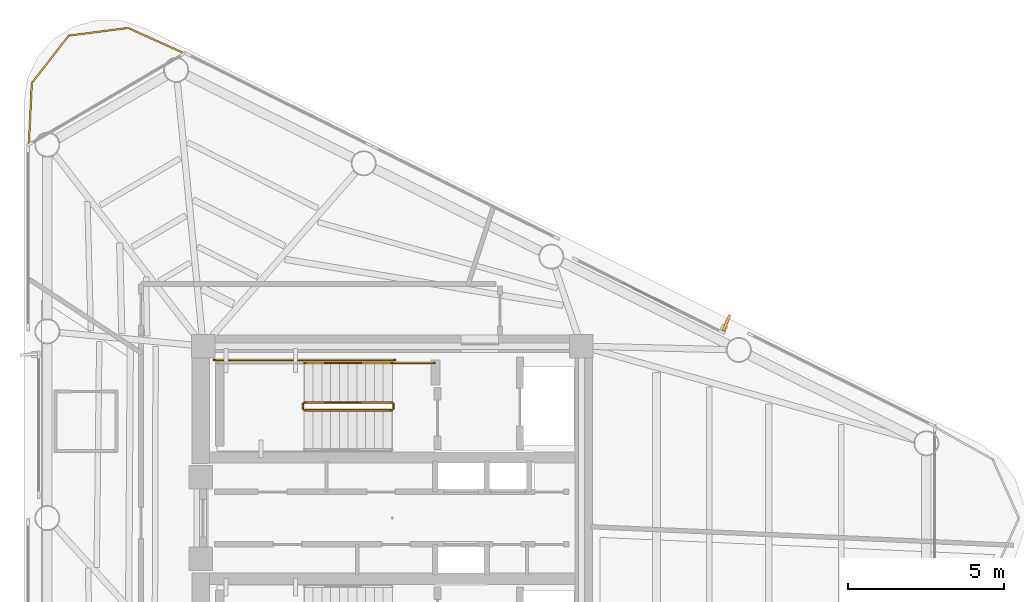
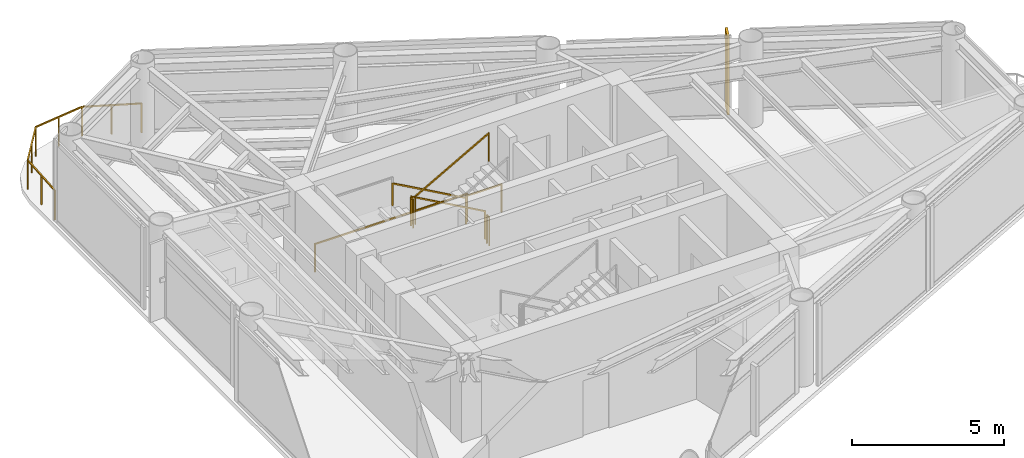
# One storey, part 10 of 10: 8 railings, 1 shading device.
"""IFC4 building model written with IfcOpenShell, lengths in metres."""

from ifc_helpers import new_model, si_unit, direction, frame, origin, origin_2d, place, context, subcontext, project, spatial, rectangle, extrude, source, transform, mapped, material, material_profile, profile_set, type_object, element, save


model = new_model("IFC4")

# Units and contexts
model_context = context("Model", 3, precision=1e-05, world=origin(), true_north=direction((0.0, 1.0)))
body_context = subcontext(model_context, "Body", "Model", "MODEL_VIEW")
ifc_project = project(units=[si_unit("LENGTHUNIT", "METRE"), si_unit("AREAUNIT", "SQUARE_METRE"), si_unit("VOLUMEUNIT", "CUBIC_METRE"), si_unit("PLANEANGLEUNIT", "RADIAN"), si_unit("MASSUNIT", "GRAM", prefix="KILO")], contexts=[model_context])

# Site, building, storey
site_placement = place(None, origin())
site = spatial("IfcSite", under=ifc_project, at=site_placement, CompositionType="ELEMENT")
building_placement = place(site_placement, origin())
building = spatial("IfcBuilding", under=site, at=building_placement, Name="Yunling Apex Tower", CompositionType="ELEMENT")
storey_placement = place(building_placement, frame((0.0, 0.0, 289.85009765625)))
storey = spatial("IfcBuildingStorey", under=building, at=storey_placement, Name="L70", CompositionType="ELEMENT", Elevation=289.85009765625)

# Railings
ifc_material_1 = material(Name="Bronze anodised aluminium", Category="aluminium")
railing_type_1 = type_object("IfcRailingType", Name="RL-BAL-1200", PredefinedType="BALUSTRADE", material=ifc_material_1)
railing_1_placement = place(storey_placement, frame((-11.627197265625, 11.9453125, 0.0)))
element("IfcRailing", 1, at=railing_1_placement, inside=storey, type_object=railing_type_1, Name="RL-CRNSILL-L70-2", PredefinedType="BALUSTRADE", context=body_context, shape_type="SweptSolid", body=[
    extrude(rectangle(XDim=0.0439453125, YDim=0.0439453125, at=origin_2d()), origin(), (0.0, 0.0, 1.0), 1.199951171875),
    extrude(rectangle(XDim=0.0439453125, YDim=0.0439453125, at=origin_2d()), frame((0.095947265625, 1.972412109375, 0.0)), (0.0, 0.0, 1.0), 1.199951171875),
    extrude(rectangle(XDim=0.050048828125, YDim=0.050048828125, at=origin_2d()), frame((0.001953125, 0.038330078125, 1.1748046875), z_axis=(0.048587182269, 0.998818945415, 0.0), x_axis=(-0.998818945415, 0.048587182269, 0.0)), (0.0, 0.0, 1.0), 1.898193359375),
    extrude(rectangle(XDim=0.0439453125, YDim=0.0439453125, at=origin_2d()), frame((0.0478515625, 0.986328125, 0.0)), (0.0, 0.0, 1.0), 1.14599609375),
    extrude(rectangle(XDim=0.0439453125, YDim=0.0439453125, at=origin_2d()), frame((1.27685546875, 3.48828125, 0.0)), (0.0, 0.0, 1.0), 1.199951171875),
    extrude(rectangle(XDim=0.050048828125, YDim=0.050048828125, at=origin_2d()), frame((0.119384765625, 2.002685546875, 1.1748046875), z_axis=(0.61455614591, 0.788873084548, 0.0), x_axis=(-0.788873084548, 0.61455614591, 0.0)), (0.0, 0.0, 1.0), 1.844970703125),
    extrude(rectangle(XDim=0.0439453125, YDim=0.0439453125, at=origin_2d()), frame((0.6865234375, 2.73046875, 0.0)), (0.0, 0.0, 1.0), 1.14599609375),
    extrude(rectangle(XDim=0.0439453125, YDim=0.0439453125, at=origin_2d()), frame((3.176513671875, 3.734375, 0.0)), (0.0, 0.0, 1.0), 1.199951171875),
    extrude(rectangle(XDim=0.050048828125, YDim=0.050048828125, at=origin_2d()), frame((1.31494140625, 3.4931640625, 1.1748046875), z_axis=(0.991713034877, 0.128472784881, 0.0), x_axis=(-0.128472784881, 0.991713034877, 0.0)), (0.0, 0.0, 1.0), 1.8388671875),
    extrude(rectangle(XDim=0.0439453125, YDim=0.0439453125, at=origin_2d()), frame((2.2265625, 3.611328125, 0.0)), (0.0, 0.0, 1.0), 1.14599609375),
    extrude(rectangle(XDim=0.0439453125, YDim=0.0439453125, at=origin_2d()), frame((4.97607421875, 2.919677734375, 0.0)), (0.0, 0.0, 1.0), 1.199951171875),
    extrude(rectangle(XDim=0.050048828125, YDim=0.050048828125, at=origin_2d()), frame((3.21142578125, 3.718505859375, 1.1748046875), z_axis=(0.910991856267, -0.412424341929, 0.0), x_axis=(0.412424341929, 0.910991856267, 0.0)), (0.0, 0.0, 1.0), 1.898681640625),
    extrude(rectangle(XDim=0.0439453125, YDim=0.0439453125, at=origin_2d()), frame((4.076171875, 3.3271484375, 0.0)), (0.0, 0.0, 1.0), 1.14599609375),
])
ifc_material_2 = material(Name="Steel Q355B", Category="steel")
railing_type_2 = type_object("IfcRailingType", Name="RL-GRD-1150", PredefinedType="GUARDRAIL", material=ifc_material_2)
railing_2_placement = place(storey_placement, frame((-0.010009765625, 3.699951171875, 0.15673828125)))
element("IfcRailing", 2, at=railing_2_placement, inside=storey, type_object=railing_type_2, Name="L70 ST-1 stair guard 1", PredefinedType="GUARDRAIL", context=body_context, shape_type="SweptSolid", body=[
    extrude(rectangle(XDim=0.0439453125, YDim=0.0439453125, at=origin_2d()), origin(), (0.0, 0.0, 1.0), 1.14990234375),
    extrude(rectangle(XDim=0.0439453125, YDim=0.0439453125, at=origin_2d()), frame((-2.800048828125, 0.0, 1.568115234375)), (0.0, 0.0, 1.0), 1.14990234375),
    extrude(rectangle(XDim=0.050048828125, YDim=0.050048828125, at=origin_2d()), frame((-0.033447265625, 0.0, 1.1435546875), z_axis=(-0.872494340497, 0.0, 0.48862421737), x_axis=(0.0, -1.0, 0.0)), (0.0, 0.0, 1.0), 3.132568359375),
])
railing_3_placement = place(storey_placement, frame((-2.860107421875, 3.64990234375, 1.724853515625)))
element("IfcRailing", 3, at=railing_3_placement, inside=storey, type_object=railing_type_2, Name="L70 ST-1 stair guard 2", PredefinedType="GUARDRAIL", context=body_context, shape_type="SweptSolid", body=[
    extrude(rectangle(XDim=0.0439453125, YDim=0.0439453125, at=origin_2d()), origin(), (0.0, 0.0, 1.0), 1.14990234375),
    extrude(rectangle(XDim=0.0439453125, YDim=0.0439453125, at=origin_2d()), frame((0.0, -0.14990234375, 0.0)), (0.0, 0.0, 1.0), 1.14990234375),
    extrude(rectangle(XDim=0.050048828125, YDim=0.050048828125, at=origin_2d()), frame((0.0, -0.038330078125, 1.125), z_axis=(0.0, -1.0, 0.0), x_axis=(1.0, 0.0, 0.0)), (0.0, 0.0, 1.0), 0.0732421875),
])
railing_4_placement = place(storey_placement, frame((-2.81005859375, 3.449951171875, 1.8818359375)))
element("IfcRailing", 4, at=railing_4_placement, inside=storey, type_object=railing_type_2, Name="L70 ST-1 stair guard 4", PredefinedType="GUARDRAIL", context=body_context, shape_type="SweptSolid", body=[
    extrude(rectangle(XDim=0.0439453125, YDim=0.0439453125, at=origin_2d()), origin(), (0.0, 0.0, 1.0), 1.14990234375),
    extrude(rectangle(XDim=0.0439453125, YDim=0.0439453125, at=origin_2d()), frame((2.800048828125, 0.0, 1.568115234375)), (0.0, 0.0, 1.0), 1.14990234375),
    extrude(rectangle(XDim=0.050048828125, YDim=0.050048828125, at=origin_2d()), frame((0.033447265625, 0.0, 1.1435546875), z_axis=(0.872494340497, 0.0, 0.48862421737), x_axis=(0.0, 1.0, 0.0)), (0.0, 0.0, 1.0), 3.132568359375),
])
railing_5_placement = place(storey_placement, frame((0.0400390625, 3.64990234375, 0.0)))
element("IfcRailing", 5, at=railing_5_placement, inside=storey, type_object=railing_type_2, Name="L70 ST-1 stair guard 5", PredefinedType="GUARDRAIL", context=body_context, shape_type="SweptSolid", body=[
    extrude(rectangle(XDim=0.0439453125, YDim=0.0439453125, at=origin_2d()), origin(), (0.0, 0.0, 1.0), 1.14990234375),
    extrude(rectangle(XDim=0.0439453125, YDim=0.0439453125, at=origin_2d()), frame((0.0, -0.14990234375, 0.0)), (0.0, 0.0, 1.0), 1.14990234375),
    extrude(rectangle(XDim=0.050048828125, YDim=0.050048828125, at=origin_2d()), frame((0.0, -0.038330078125, 1.125), z_axis=(0.0, -1.0, 0.0), x_axis=(1.0, 0.0, 0.0)), (0.0, 0.0, 1.0), 0.0732421875),
])
railing_6_placement = place(storey_placement, frame((1.35009765625, 4.9599609375, 0.0)))
element("IfcRailing", 6, at=railing_6_placement, inside=storey, type_object=railing_type_2, Name="L70 ST-1 stair guard 6", PredefinedType="GUARDRAIL", context=body_context, shape_type="SweptSolid", body=[
    extrude(rectangle(XDim=0.0439453125, YDim=0.0439453125, at=origin_2d()), origin(), (0.0, 0.0, 1.0), 1.14990234375),
    extrude(rectangle(XDim=0.0439453125, YDim=0.0439453125, at=origin_2d()), frame((-1.360107421875, 0.0, 0.0)), (0.0, 0.0, 1.0), 1.14990234375),
    extrude(rectangle(XDim=0.050048828125, YDim=0.050048828125, at=origin_2d()), frame((-0.038330078125, 0.0, 1.125), z_axis=(-1.0, 0.0, 0.0), x_axis=(0.0, -1.0, 0.0)), (0.0, 0.0, 1.0), 1.283447265625),
])
railing_7_placement = place(storey_placement, frame((0.090087890625, 5.06005859375, 0.0)))
element("IfcRailing", 7, at=railing_7_placement, inside=storey, type_object=railing_type_2, Name="L70 ST-1 stair guard 7", PredefinedType="GUARDRAIL", context=body_context, shape_type="SweptSolid", body=[
    extrude(rectangle(XDim=0.0439453125, YDim=0.0439453125, at=origin_2d()), origin(), (0.0, 0.0, 1.0), 1.14990234375),
    extrude(rectangle(XDim=0.0439453125, YDim=0.0439453125, at=origin_2d()), frame((-5.7900390625, 0.0, 0.0)), (0.0, 0.0, 1.0), 1.14990234375),
    extrude(rectangle(XDim=0.050048828125, YDim=0.050048828125, at=origin_2d()), frame((-0.038330078125, 0.0, 1.125), z_axis=(-1.0, 0.0, 0.0), x_axis=(0.0, -1.0, 0.0)), (0.0, 0.0, 1.0), 5.71337890625),
])
ifc_material_3 = material(Name="Silver anodised aluminium", Category="aluminium")
railing_type_3 = type_object("IfcRailingType", Name="RL-HND-900", PredefinedType="HANDRAIL", material=ifc_material_3)
railing_8_placement = place(storey_placement, frame((-0.010009765625, 4.9599609375, 0.15673828125)))
element("IfcRailing", 8, at=railing_8_placement, inside=storey, type_object=railing_type_3, Name="L70 ST-1 stair handrail 1", PredefinedType="HANDRAIL", context=body_context, shape_type="SweptSolid", body=[
    extrude(rectangle(XDim=0.0439453125, YDim=0.0439453125, at=origin_2d()), origin(), (0.0, 0.0, 1.0), 0.919921875),
    extrude(rectangle(XDim=0.0439453125, YDim=0.0439453125, at=origin_2d()), frame((-2.800048828125, 0.0, 1.568115234375)), (0.0, 0.0, 1.0), 0.919921875),
    extrude(rectangle(XDim=0.050048828125, YDim=0.050048828125, at=origin_2d()), frame((-0.033447265625, 0.0, 0.91357421875), z_axis=(-0.872494340497, 0.0, 0.48862421737), x_axis=(0.0, -1.0, 0.0)), (0.0, 0.0, 1.0), 3.132568359375),
])

# Shading device
ifc_material_profile = material_profile(ifc_material_1, rectangle(XDim=0.0849609375, YDim=0.550048828125, at=origin_2d()))
ifc_profile_set = profile_set([ifc_material_profile], Name="Bronze anodised aluminium")
shading_device_type = type_object("IfcShadingDeviceType", Name="FN-BRZ-3", PredefinedType="USERDEFINED", material=ifc_profile_set)
shared_shape = source(origin(), body_context, "Body", "SweptSolid", [
    extrude(rectangle(XDim=0.0849609375, YDim=0.550048828125, at=origin_2d()), origin(), (0.0, 0.0, 1.0), 3.14990234375),
])
shading_device_placement = place(storey_placement, frame((10.689208984375, 6.240234375, 0.06005859375), z_axis=(0.0, 0.0, 1.0), x_axis=(-0.922470722095, 0.386067049717, 0.0)))
element("IfcShadingDevice", 9, at=shading_device_placement, inside=storey, type_object=shading_device_type, Name="CW-L70-F2-B2-FIN-01", ObjectType="FIN", PredefinedType="USERDEFINED", context=body_context, shape_type="MappedRepresentation", body=[
    mapped(shared_shape, transform((0.0, 0.0, 0.0), scale=1.0)),
])

save(model, "model.ifc")
